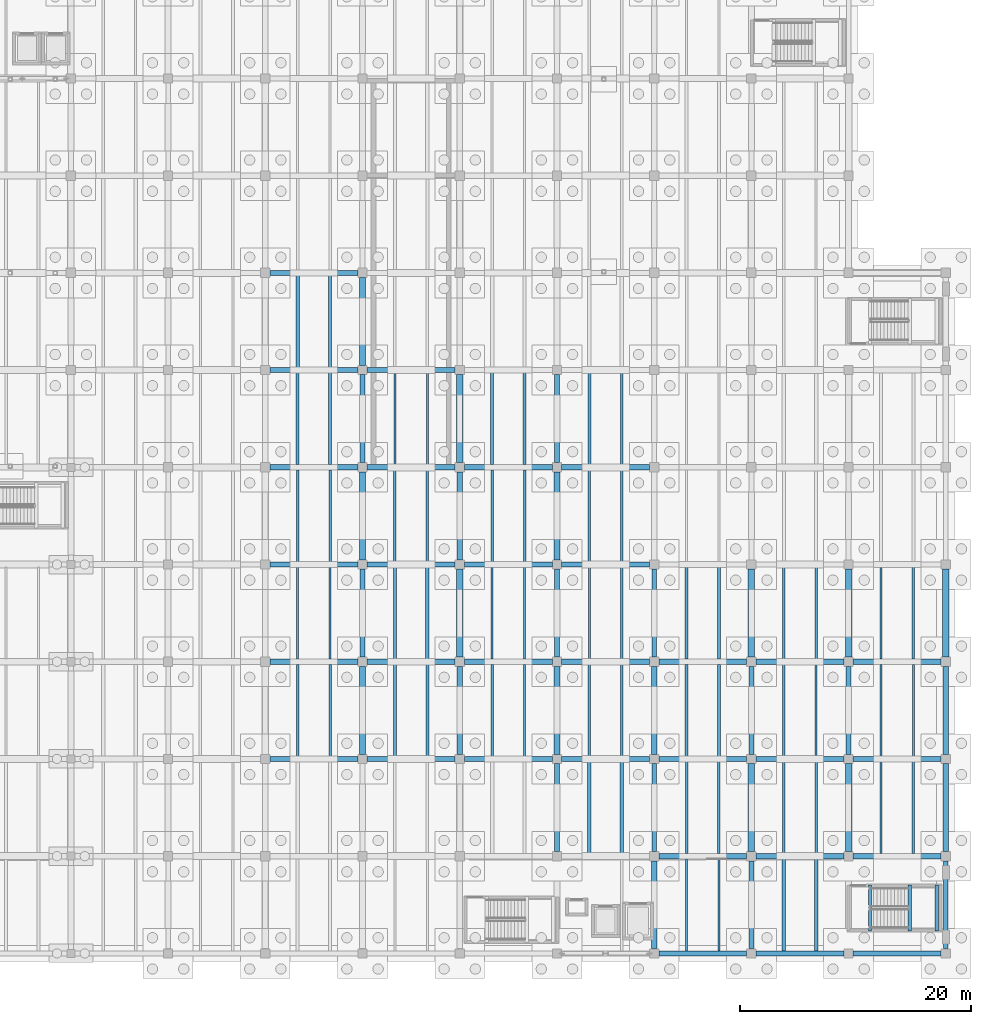
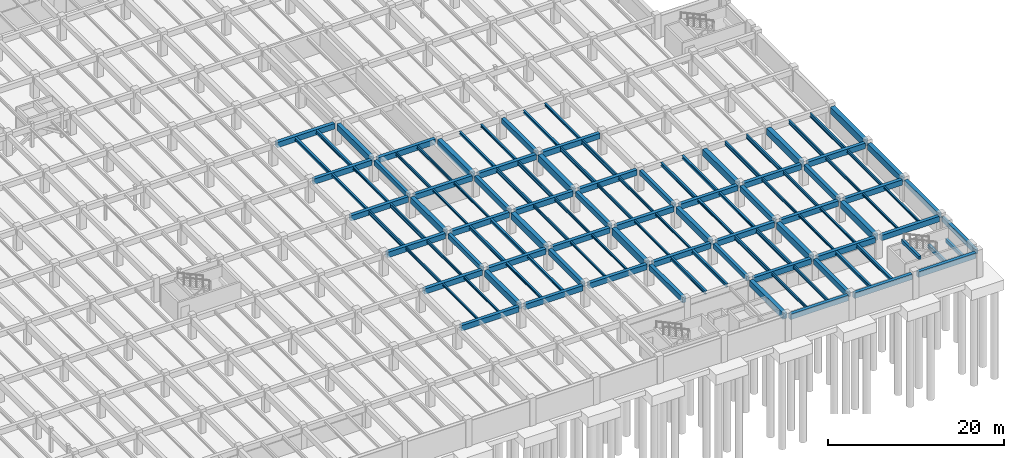
# One storey, part 31 of 70: 121 beams.
"""IFC4 building model written with IfcOpenShell, lengths in metres."""

from ifc_helpers import new_model, si_unit, direction, frame, origin, origin_2d, place, context, subcontext, project, spatial, rectangle, i_section, extrude, material, material_profile, profile_set, type_object, element, save


model = new_model("IFC4")

# Units and contexts
model_context = context("Model", 3, precision=1e-05, world=origin(), true_north=direction((0.0, 1.0)))
body_context = subcontext(model_context, "Body", "Model", "MODEL_VIEW")
ifc_project = project(units=[si_unit("LENGTHUNIT", "METRE"), si_unit("AREAUNIT", "SQUARE_METRE"), si_unit("VOLUMEUNIT", "CUBIC_METRE"), si_unit("PLANEANGLEUNIT", "RADIAN"), si_unit("MASSUNIT", "GRAM", prefix="KILO")], contexts=[model_context])

# Site, building, storey
site_placement = place(None, origin())
site = spatial("IfcSite", under=ifc_project, at=site_placement, CompositionType="ELEMENT")
building_placement = place(site_placement, origin())
building = spatial("IfcBuilding", under=site, at=building_placement, Name="Cumbredor Promenade Congress Hotel", CompositionType="ELEMENT")
storey_placement = place(building_placement, frame((0.0, 0.0, -7.56005859375)))
storey = spatial("IfcBuildingStorey", under=building, at=storey_placement, Name="B02", CompositionType="ELEMENT", Elevation=-7.56005859375)

# Beams
ifc_material_1 = material(Name="Concrete C40/50", Category="concrete")
ifc_material_profile_1 = material_profile(ifc_material_1, rectangle(XDim=0.39990234375, YDim=0.64990234375, at=origin_2d()), Name="RC BEAM 400x650")
ifc_profile_set_1 = profile_set([ifc_material_profile_1], Name="Concrete C40/50")
beam_type_1 = type_object("IfcBeamType", Name="BM-RC-400x650", PredefinedType="BEAM", material=ifc_profile_set_1)
beam_1_placement = place(storey_placement, frame((134.39990234375, 34.0, 2.635009765625), z_axis=(0.0, 1.0, 0.0), x_axis=(-1.0, 0.0, 0.0)))
element("IfcBeam", 1, at=beam_1_placement, inside=storey, type_object=beam_type_1, Name="B01 Y-Grid Beam 396", PredefinedType="BEAM", context=body_context, shape_type="SweptSolid", body=[
    extrude(rectangle(XDim=0.39990234375, YDim=0.64990234375, at=origin_2d()), origin(), (0.0, 0.0, 1.0), 7.60009765625),
])
beam_2_placement = place(storey_placement, frame((134.39990234375, 50.800048828125, 2.635009765625), z_axis=(0.0, 1.0, 0.0), x_axis=(-1.0, 0.0, 0.0)))
element("IfcBeam", 2, at=beam_2_placement, inside=storey, type_object=beam_type_1, Name="B01 Y-Grid Beam 400", PredefinedType="BEAM", context=body_context, shape_type="SweptSolid", body=[
    extrude(rectangle(XDim=0.39990234375, YDim=0.64990234375, at=origin_2d()), origin(), (0.0, 0.0, 1.0), 7.599853515625),
])
for number, where, z_axis, x_axis, name in (
    (3, (159.60009765625, 17.199951171875, 2.635009765625), (0.0, 1.0, 0.0), (-1.0, 0.0, 0.0), "B01 Y-Grid Beam 472"),
    (4, (159.60009765625, 34.0, 2.635009765625), (0.0, 1.0, 0.0), (-1.0, 0.0, 0.0), "B01 Y-Grid Beam 476"),
):
    element("IfcBeam", number, at=place(storey_placement, frame(where, z_axis=z_axis, x_axis=x_axis)), inside=storey, type_object=beam_type_1, Name=name, PredefinedType="BEAM", context=body_context, shape_type="SweptSolid", body=[
        extrude(rectangle(XDim=0.39990234375, YDim=0.64990234375, at=origin_2d()), origin(), (0.0, 0.0, 1.0), 7.60009765625),
    ])
beam_3_placement = place(storey_placement, frame((184.800048828125, 8.800048828125, 2.635009765625), z_axis=(0.0, 1.0, 0.0), x_axis=(-1.0, 0.0, 0.0)))
element("IfcBeam", 5, at=beam_3_placement, inside=storey, type_object=beam_type_1, Name="B01 Y-Grid Beam 540", PredefinedType="BEAM", context=body_context, shape_type="SweptSolid", body=[
    extrude(rectangle(XDim=0.39990234375, YDim=0.64990234375, at=origin_2d()), origin(), (0.0, 0.0, 1.0), 7.599853515625),
])
ifc_material_profile_2 = material_profile(ifc_material_1, rectangle(XDim=0.449951171875, YDim=0.75, at=origin_2d()), Name="RC BEAM 450x750")
ifc_profile_set_2 = profile_set([ifc_material_profile_2], Name="Concrete C40/50")
beam_type_2 = type_object("IfcBeamType", Name="BM-RC-450x750", PredefinedType="BEAM", material=ifc_profile_set_2)
for number, where, z_axis, x_axis, name in (
    (6, (126.39990234375, 25.199951171875, 2.5849609375), (1.0, 0.0, 0.0), (0.0, 1.0, 0.0), "B01 X-Grid Beam 366"),
    (7, (126.39990234375, 33.60009765625, 2.5849609375), (1.0, 0.0, 0.0), (0.0, 1.0, 0.0), "B01 X-Grid Beam 368"),
    (8, (126.39990234375, 42.0, 2.5849609375), (1.0, 0.0, 0.0), (0.0, 1.0, 0.0), "B01 X-Grid Beam 370"),
    (9, (126.39990234375, 50.39990234375, 2.5849609375), (1.0, 0.0, 0.0), (0.0, 1.0, 0.0), "B01 X-Grid Beam 372"),
    (10, (126.39990234375, 58.800048828125, 2.5849609375), (1.0, 0.0, 0.0), (0.0, 1.0, 0.0), "B01 X-Grid Beam 374"),
    (11, (126.39990234375, 67.199951171875, 2.5849609375), (1.0, 0.0, 0.0), (0.0, 1.0, 0.0), "B01 X-Grid Beam 376"),
):
    element("IfcBeam", number, at=place(storey_placement, frame(where, z_axis=z_axis, x_axis=x_axis)), inside=storey, type_object=beam_type_2, Name=name, PredefinedType="BEAM", context=body_context, shape_type="SweptSolid", body=[
        extrude(rectangle(XDim=0.449951171875, YDim=0.75, at=origin_2d()), origin(), (0.0, 0.0, 1.0), 7.60009765625),
    ])
for number, where, z_axis, x_axis, name in (
    (12, (134.800048828125, 25.199951171875, 2.5849609375), (1.0, 0.0, 0.0), (0.0, 1.0, 0.0), "B01 X-Grid Beam 393"),
    (13, (134.800048828125, 33.60009765625, 2.5849609375), (1.0, 0.0, 0.0), (0.0, 1.0, 0.0), "B01 X-Grid Beam 395"),
    (14, (134.800048828125, 42.0, 2.5849609375), (1.0, 0.0, 0.0), (0.0, 1.0, 0.0), "B01 X-Grid Beam 397"),
    (15, (134.800048828125, 50.39990234375, 2.5849609375), (1.0, 0.0, 0.0), (0.0, 1.0, 0.0), "B01 X-Grid Beam 399"),
    (16, (134.800048828125, 58.800048828125, 2.5849609375), (1.0, 0.0, 0.0), (0.0, 1.0, 0.0), "B01 X-Grid Beam 401"),
):
    element("IfcBeam", number, at=place(storey_placement, frame(where, z_axis=z_axis, x_axis=x_axis)), inside=storey, type_object=beam_type_2, Name=name, PredefinedType="BEAM", context=body_context, shape_type="SweptSolid", body=[
        extrude(rectangle(XDim=0.449951171875, YDim=0.75, at=origin_2d()), origin(), (0.0, 0.0, 1.0), 7.599853515625),
    ])
beam_4_placement = place(storey_placement, frame((143.199951171875, 25.199951171875, 2.5849609375), z_axis=(1.0, 0.0, 0.0), x_axis=(0.0, 1.0, 0.0)))
element("IfcBeam", 17, at=beam_4_placement, inside=storey, type_object=beam_type_2, Name="B01 X-Grid Beam 420", PredefinedType="BEAM", context=body_context, shape_type="SweptSolid", body=[
    extrude(rectangle(XDim=0.449951171875, YDim=0.75, at=origin_2d()), origin(), (0.0, 0.0, 1.0), 7.60009765625),
])
beam_5_placement = place(storey_placement, frame((142.800048828125, 25.60009765625, 2.5849609375), z_axis=(0.0, 1.0, 0.0), x_axis=(-1.0, 0.0, 0.0)))
element("IfcBeam", 18, at=beam_5_placement, inside=storey, type_object=beam_type_2, Name="B01 Y-Grid Beam 421", PredefinedType="BEAM", context=body_context, shape_type="SweptSolid", body=[
    extrude(rectangle(XDim=0.449951171875, YDim=0.75, at=origin_2d()), origin(), (0.0, 0.0, 1.0), 7.599853515625),
])
for number, where, z_axis, x_axis, name in (
    (19, (143.199951171875, 33.60009765625, 2.5849609375), (1.0, 0.0, 0.0), (0.0, 1.0, 0.0), "B01 X-Grid Beam 422"),
    (20, (143.199951171875, 42.0, 2.5849609375), (1.0, 0.0, 0.0), (0.0, 1.0, 0.0), "B01 X-Grid Beam 424"),
    (21, (142.800048828125, 42.39990234375, 2.5849609375), (0.0, 1.0, 0.0), (-1.0, 0.0, 0.0), "B01 Y-Grid Beam 425"),
    (22, (143.199951171875, 50.39990234375, 2.5849609375), (1.0, 0.0, 0.0), (0.0, 1.0, 0.0), "B01 X-Grid Beam 426"),
    (23, (151.199951171875, 17.199951171875, 2.5849609375), (0.0, 1.0, 0.0), (-1.0, 0.0, 0.0), "B01 Y-Grid Beam 445"),
):
    element("IfcBeam", number, at=place(storey_placement, frame(where, z_axis=z_axis, x_axis=x_axis)), inside=storey, type_object=beam_type_2, Name=name, PredefinedType="BEAM", context=body_context, shape_type="SweptSolid", body=[
        extrude(rectangle(XDim=0.449951171875, YDim=0.75, at=origin_2d()), origin(), (0.0, 0.0, 1.0), 7.60009765625),
    ])
for number, where, z_axis, x_axis, name in (
    (24, (151.60009765625, 25.199951171875, 2.5849609375), (1.0, 0.0, 0.0), (0.0, 1.0, 0.0), "B01 X-Grid Beam 446"),
    (25, (151.60009765625, 33.60009765625, 2.5849609375), (1.0, 0.0, 0.0), (0.0, 1.0, 0.0), "B01 X-Grid Beam 448"),
):
    element("IfcBeam", number, at=place(storey_placement, frame(where, z_axis=z_axis, x_axis=x_axis)), inside=storey, type_object=beam_type_2, Name=name, PredefinedType="BEAM", context=body_context, shape_type="SweptSolid", body=[
        extrude(rectangle(XDim=0.449951171875, YDim=0.75, at=origin_2d()), origin(), (0.0, 0.0, 1.0), 7.599853515625),
    ])
beam_6_placement = place(storey_placement, frame((151.199951171875, 34.0, 2.5849609375), z_axis=(0.0, 1.0, 0.0), x_axis=(-1.0, 0.0, 0.0)))
element("IfcBeam", 26, at=beam_6_placement, inside=storey, type_object=beam_type_2, Name="B01 Y-Grid Beam 449", PredefinedType="BEAM", context=body_context, shape_type="SweptSolid", body=[
    extrude(rectangle(XDim=0.449951171875, YDim=0.75, at=origin_2d()), origin(), (0.0, 0.0, 1.0), 7.60009765625),
])
for number, where, z_axis, x_axis, name in (
    (27, (151.60009765625, 42.0, 2.5849609375), (1.0, 0.0, 0.0), (0.0, 1.0, 0.0), "B01 X-Grid Beam 450"),
    (28, (151.60009765625, 50.39990234375, 2.5849609375), (1.0, 0.0, 0.0), (0.0, 1.0, 0.0), "B01 X-Grid Beam 452"),
    (29, (151.199951171875, 50.800048828125, 2.5849609375), (0.0, 1.0, 0.0), (-1.0, 0.0, 0.0), "B01 Y-Grid Beam 453"),
):
    element("IfcBeam", number, at=place(storey_placement, frame(where, z_axis=z_axis, x_axis=x_axis)), inside=storey, type_object=beam_type_2, Name=name, PredefinedType="BEAM", context=body_context, shape_type="SweptSolid", body=[
        extrude(rectangle(XDim=0.449951171875, YDim=0.75, at=origin_2d()), origin(), (0.0, 0.0, 1.0), 7.599853515625),
    ])
for number, where, z_axis, x_axis, name in (
    (30, (160.0, 8.39990234375, 2.5849609375), (1.0, 0.0, 0.0), (0.0, 1.0, 0.0), "B01 X-Grid Beam 469"),
    (31, (160.0, 16.800048828125, 2.5849609375), (1.0, 0.0, 0.0), (0.0, 1.0, 0.0), "B01 X-Grid Beam 471"),
    (32, (160.0, 25.199951171875, 2.5849609375), (1.0, 0.0, 0.0), (0.0, 1.0, 0.0), "B01 X-Grid Beam 473"),
    (33, (160.0, 33.60009765625, 2.5849609375), (1.0, 0.0, 0.0), (0.0, 1.0, 0.0), "B01 X-Grid Beam 475"),
    (34, (168.39990234375, 8.39990234375, 2.5849609375), (1.0, 0.0, 0.0), (0.0, 1.0, 0.0), "B01 X-Grid Beam 496"),
):
    element("IfcBeam", number, at=place(storey_placement, frame(where, z_axis=z_axis, x_axis=x_axis)), inside=storey, type_object=beam_type_2, Name=name, PredefinedType="BEAM", context=body_context, shape_type="SweptSolid", body=[
        extrude(rectangle(XDim=0.449951171875, YDim=0.75, at=origin_2d()), origin(), (0.0, 0.0, 1.0), 7.60009765625),
    ])
beam_7_placement = place(storey_placement, frame((168.0, 8.800048828125, 2.5849609375), z_axis=(0.0, 1.0, 0.0), x_axis=(-1.0, 0.0, 0.0)))
element("IfcBeam", 35, at=beam_7_placement, inside=storey, type_object=beam_type_2, Name="B01 Y-Grid Beam 497", PredefinedType="BEAM", context=body_context, shape_type="SweptSolid", body=[
    extrude(rectangle(XDim=0.449951171875, YDim=0.75, at=origin_2d()), origin(), (0.0, 0.0, 1.0), 7.599853515625),
])
for number, where, z_axis, x_axis, name in (
    (36, (168.39990234375, 16.800048828125, 2.5849609375), (1.0, 0.0, 0.0), (0.0, 1.0, 0.0), "B01 X-Grid Beam 498"),
    (37, (168.39990234375, 25.199951171875, 2.5849609375), (1.0, 0.0, 0.0), (0.0, 1.0, 0.0), "B01 X-Grid Beam 500"),
):
    element("IfcBeam", number, at=place(storey_placement, frame(where, z_axis=z_axis, x_axis=x_axis)), inside=storey, type_object=beam_type_2, Name=name, PredefinedType="BEAM", context=body_context, shape_type="SweptSolid", body=[
        extrude(rectangle(XDim=0.449951171875, YDim=0.75, at=origin_2d()), origin(), (0.0, 0.0, 1.0), 7.60009765625),
    ])
beam_8_placement = place(storey_placement, frame((168.0, 25.60009765625, 2.5849609375), z_axis=(0.0, 1.0, 0.0), x_axis=(-1.0, 0.0, 0.0)))
element("IfcBeam", 38, at=beam_8_placement, inside=storey, type_object=beam_type_2, Name="B01 Y-Grid Beam 501", PredefinedType="BEAM", context=body_context, shape_type="SweptSolid", body=[
    extrude(rectangle(XDim=0.449951171875, YDim=0.75, at=origin_2d()), origin(), (0.0, 0.0, 1.0), 7.599853515625),
])
beam_9_placement = place(storey_placement, frame((168.39990234375, 33.60009765625, 2.5849609375), z_axis=(1.0, 0.0, 0.0), x_axis=(0.0, 1.0, 0.0)))
element("IfcBeam", 39, at=beam_9_placement, inside=storey, type_object=beam_type_2, Name="B01 X-Grid Beam 502", PredefinedType="BEAM", context=body_context, shape_type="SweptSolid", body=[
    extrude(rectangle(XDim=0.449951171875, YDim=0.75, at=origin_2d()), origin(), (0.0, 0.0, 1.0), 7.60009765625),
])
for number, where, z_axis, x_axis, name in (
    (40, (176.800048828125, 8.39990234375, 2.5849609375), (1.0, 0.0, 0.0), (0.0, 1.0, 0.0), "B01 X-Grid Beam 521"),
    (41, (176.800048828125, 16.800048828125, 2.5849609375), (1.0, 0.0, 0.0), (0.0, 1.0, 0.0), "B01 X-Grid Beam 522"),
    (42, (176.800048828125, 25.199951171875, 2.5849609375), (1.0, 0.0, 0.0), (0.0, 1.0, 0.0), "B01 X-Grid Beam 524"),
    (43, (176.39990234375, 25.60009765625, 2.5849609375), (0.0, 1.0, 0.0), (-1.0, 0.0, 0.0), "B01 Y-Grid Beam 525"),
    (44, (176.800048828125, 33.60009765625, 2.5849609375), (1.0, 0.0, 0.0), (0.0, 1.0, 0.0), "B01 X-Grid Beam 526"),
):
    element("IfcBeam", number, at=place(storey_placement, frame(where, z_axis=z_axis, x_axis=x_axis)), inside=storey, type_object=beam_type_2, Name=name, PredefinedType="BEAM", context=body_context, shape_type="SweptSolid", body=[
        extrude(rectangle(XDim=0.449951171875, YDim=0.75, at=origin_2d()), origin(), (0.0, 0.0, 1.0), 7.599853515625),
    ])
beam_10_placement = place(storey_placement, frame((184.800048828125, 17.199951171875, 2.5849609375), z_axis=(0.0, 1.0, 0.0), x_axis=(-1.0, 0.0, 0.0)))
element("IfcBeam", 45, at=beam_10_placement, inside=storey, type_object=beam_type_2, Name="B01 Y-Grid Beam 541", PredefinedType="BEAM", context=body_context, shape_type="SweptSolid", body=[
    extrude(rectangle(XDim=0.449951171875, YDim=0.75, at=origin_2d()), origin(), (0.0, 0.0, 1.0), 7.60009765625),
])
ifc_material_profile_3 = material_profile(ifc_material_1, rectangle(XDim=0.5, YDim=0.85009765625, at=origin_2d()), Name="RC BEAM 500x850")
ifc_profile_set_3 = profile_set([ifc_material_profile_3], Name="Concrete C40/50")
beam_type_3 = type_object("IfcBeamType", Name="BM-RC-500x850", PredefinedType="BEAM", material=ifc_profile_set_3)
beam_11_placement = place(storey_placement, frame((134.39990234375, 25.60009765625, 2.53515625), z_axis=(0.0, 1.0, 0.0), x_axis=(-1.0, 0.0, 0.0)))
element("IfcBeam", 46, at=beam_11_placement, inside=storey, type_object=beam_type_3, Name="B01 Y-Grid Beam 394", PredefinedType="BEAM", context=body_context, shape_type="SweptSolid", body=[
    extrude(rectangle(XDim=0.5, YDim=0.85009765625, at=origin_2d()), origin(), (0.0, 0.0, 1.0), 7.599853515625),
])
for number, where, z_axis, x_axis, name in (
    (47, (134.39990234375, 42.39990234375, 2.53515625), (0.0, 1.0, 0.0), (-1.0, 0.0, 0.0), "B01 Y-Grid Beam 398"),
    (48, (134.39990234375, 59.199951171875, 2.53515625), (0.0, 1.0, 0.0), (-1.0, 0.0, 0.0), "B01 Y-Grid Beam 402"),
):
    element("IfcBeam", number, at=place(storey_placement, frame(where, z_axis=z_axis, x_axis=x_axis)), inside=storey, type_object=beam_type_3, Name=name, PredefinedType="BEAM", context=body_context, shape_type="SweptSolid", body=[
        extrude(rectangle(XDim=0.5, YDim=0.85009765625, at=origin_2d()), origin(), (0.0, 0.0, 1.0), 7.60009765625),
    ])
for number, where, z_axis, x_axis, name in (
    (49, (159.60009765625, 8.800048828125, 2.53515625), (0.0, 1.0, 0.0), (-1.0, 0.0, 0.0), "B01 Y-Grid Beam 470"),
    (50, (159.60009765625, 25.60009765625, 2.53515625), (0.0, 1.0, 0.0), (-1.0, 0.0, 0.0), "B01 Y-Grid Beam 474"),
    (51, (184.800048828125, 25.60009765625, 2.53515625), (0.0, 1.0, 0.0), (-1.0, 0.0, 0.0), "B01 Y-Grid Beam 542"),
):
    element("IfcBeam", number, at=place(storey_placement, frame(where, z_axis=z_axis, x_axis=x_axis)), inside=storey, type_object=beam_type_3, Name=name, PredefinedType="BEAM", context=body_context, shape_type="SweptSolid", body=[
        extrude(rectangle(XDim=0.5, YDim=0.85009765625, at=origin_2d()), origin(), (0.0, 0.0, 1.0), 7.599853515625),
    ])
ifc_material_profile_4 = material_profile(ifc_material_1, rectangle(XDim=0.550048828125, YDim=0.949951171875, at=origin_2d()), Name="RC BEAM 550x950")
ifc_profile_set_4 = profile_set([ifc_material_profile_4], Name="Concrete C40/50")
beam_type_4 = type_object("IfcBeamType", Name="BM-RC-550x950", PredefinedType="BEAM", material=ifc_profile_set_4)
beam_12_placement = place(storey_placement, frame((142.800048828125, 34.0, 2.485107421875), z_axis=(0.0, 1.0, 0.0), x_axis=(-1.0, 0.0, 0.0)))
element("IfcBeam", 52, at=beam_12_placement, inside=storey, type_object=beam_type_4, Name="B01 Y-Grid Beam 423", PredefinedType="BEAM", context=body_context, shape_type="SweptSolid", body=[
    extrude(rectangle(XDim=0.550048828125, YDim=0.949951171875, at=origin_2d()), origin(), (0.0, 0.0, 1.0), 7.60009765625),
])
for number, where, z_axis, x_axis, name in (
    (53, (142.800048828125, 50.800048828125, 2.485107421875), (0.0, 1.0, 0.0), (-1.0, 0.0, 0.0), "B01 Y-Grid Beam 427"),
    (54, (151.199951171875, 25.60009765625, 2.485107421875), (0.0, 1.0, 0.0), (-1.0, 0.0, 0.0), "B01 Y-Grid Beam 447"),
):
    element("IfcBeam", number, at=place(storey_placement, frame(where, z_axis=z_axis, x_axis=x_axis)), inside=storey, type_object=beam_type_4, Name=name, PredefinedType="BEAM", context=body_context, shape_type="SweptSolid", body=[
        extrude(rectangle(XDim=0.550048828125, YDim=0.949951171875, at=origin_2d()), origin(), (0.0, 0.0, 1.0), 7.599853515625),
    ])
for number, where, z_axis, x_axis, name in (
    (55, (151.199951171875, 42.39990234375, 2.485107421875), (0.0, 1.0, 0.0), (-1.0, 0.0, 0.0), "B01 Y-Grid Beam 451"),
    (56, (168.0, 17.199951171875, 2.485107421875), (0.0, 1.0, 0.0), (-1.0, 0.0, 0.0), "B01 Y-Grid Beam 499"),
    (57, (168.0, 34.0, 2.485107421875), (0.0, 1.0, 0.0), (-1.0, 0.0, 0.0), "B01 Y-Grid Beam 503"),
    (58, (176.39990234375, 17.199951171875, 2.485107421875), (0.0, 1.0, 0.0), (-1.0, 0.0, 0.0), "B01 Y-Grid Beam 523"),
    (59, (176.39990234375, 34.0, 2.485107421875), (0.0, 1.0, 0.0), (-1.0, 0.0, 0.0), "B01 Y-Grid Beam 527"),
    (60, (184.800048828125, 34.0, 2.485107421875), (0.0, 1.0, 0.0), (-1.0, 0.0, 0.0), "B01 Y-Grid Beam 543"),
):
    element("IfcBeam", number, at=place(storey_placement, frame(where, z_axis=z_axis, x_axis=x_axis)), inside=storey, type_object=beam_type_4, Name=name, PredefinedType="BEAM", context=body_context, shape_type="SweptSolid", body=[
        extrude(rectangle(XDim=0.550048828125, YDim=0.949951171875, at=origin_2d()), origin(), (0.0, 0.0, 1.0), 7.60009765625),
    ])
ifc_material_2 = material(Name="Steel ASTM A992 Grade 50", Category="steel")
ifc_material_profile_5 = material_profile(ifc_material_2, i_section(OverallWidth=0.202880859375, OverallDepth=0.302978515625, WebThickness=0.007568359375, FlangeThickness=0.01318359375, at=origin_2d()), Name="W12X40")
ifc_profile_set_5 = profile_set([ifc_material_profile_5], Name="Steel ASTM A992 Grade 50")
beam_type_5 = type_object("IfcBeamType", Name="JST-W12X40", PredefinedType="JOIST", material=ifc_profile_set_5)
for number, where, z_axis, x_axis, name in (
    (61, (128.800048828125, 25.425048828125, 2.80859375), (0.0, 1.0, 0.0), (-1.0, 0.0, 0.0), "B01 Secondary Floor Joist 0325"),
    (62, (131.60009765625, 25.425048828125, 2.80859375), (0.0, 1.0, 0.0), (-1.0, 0.0, 0.0), "B01 Secondary Floor Joist 0326"),
    (63, (137.199951171875, 42.22509765625, 2.80859375), (0.0, 1.0, 0.0), (-1.0, 0.0, 0.0), "B01 Secondary Floor Joist 0355"),
    (64, (140.0, 42.22509765625, 2.80859375), (0.0, 1.0, 0.0), (-1.0, 0.0, 0.0), "B01 Secondary Floor Joist 0356"),
    (65, (145.60009765625, 25.425048828125, 2.80859375), (0.0, 1.0, 0.0), (-1.0, 0.0, 0.0), "B01 Secondary Floor Joist 0375"),
    (66, (148.39990234375, 25.425048828125, 2.80859375), (0.0, 1.0, 0.0), (-1.0, 0.0, 0.0), "B01 Secondary Floor Joist 0376"),
    (67, (154.0, 25.425048828125, 2.80859375), (0.0, 1.0, 0.0), (-1.0, 0.0, 0.0), "B01 Secondary Floor Joist 0400"),
    (68, (156.800048828125, 25.425048828125, 2.80859375), (0.0, 1.0, 0.0), (-1.0, 0.0, 0.0), "B01 Secondary Floor Joist 0401"),
):
    element("IfcBeam", number, at=place(storey_placement, frame(where, z_axis=z_axis, x_axis=x_axis)), inside=storey, type_object=beam_type_5, Name=name, PredefinedType="JOIST", context=body_context, shape_type="SweptSolid", body=[
        extrude(i_section(OverallWidth=0.202880859375, OverallDepth=0.302978515625, WebThickness=0.007568359375, FlangeThickness=0.01318359375, at=origin_2d()), origin(), (0.0, 0.0, 1.0), 7.949951171875),
    ])
for number, where, z_axis, x_axis, name in (
    (69, (170.800048828125, 17.02490234375, 2.80859375), (0.0, 1.0, 0.0), (-1.0, 0.0, 0.0), "B01 Secondary Floor Joist 0450"),
    (70, (173.60009765625, 17.02490234375, 2.80859375), (0.0, 1.0, 0.0), (-1.0, 0.0, 0.0), "B01 Secondary Floor Joist 0451"),
    (71, (179.199951171875, 17.02490234375, 2.80859375), (0.0, 1.0, 0.0), (-1.0, 0.0, 0.0), "B01 Secondary Floor Joist 0470"),
    (72, (182.0, 17.02490234375, 2.80859375), (0.0, 1.0, 0.0), (-1.0, 0.0, 0.0), "B01 Secondary Floor Joist 0471"),
):
    element("IfcBeam", number, at=place(storey_placement, frame(where, z_axis=z_axis, x_axis=x_axis)), inside=storey, type_object=beam_type_5, Name=name, PredefinedType="JOIST", context=body_context, shape_type="SweptSolid", body=[
        extrude(i_section(OverallWidth=0.202880859375, OverallDepth=0.302978515625, WebThickness=0.007568359375, FlangeThickness=0.01318359375, at=origin_2d()), origin(), (0.0, 0.0, 1.0), 7.9501953125),
    ])
ifc_material_profile_6 = material_profile(ifc_material_2, i_section(OverallWidth=0.2548828125, OverallDepth=0.35693359375, WebThickness=0.010498046875, FlangeThickness=0.018310546875, at=origin_2d()), Name="W14X68")
ifc_profile_set_6 = profile_set([ifc_material_profile_6], Name="Steel ASTM A992 Grade 50")
beam_type_6 = type_object("IfcBeamType", Name="JST-W14X68", PredefinedType="JOIST", material=ifc_profile_set_6)
for number, where, z_axis, x_axis, name in (
    (73, (128.800048828125, 50.625, 2.781494140625), (0.0, 1.0, 0.0), (-1.0, 0.0, 0.0), "B01 Secondary Floor Joist 0331"),
    (74, (131.60009765625, 50.625, 2.781494140625), (0.0, 1.0, 0.0), (-1.0, 0.0, 0.0), "B01 Secondary Floor Joist 0332"),
    (75, (137.199951171875, 25.425048828125, 2.781494140625), (0.0, 1.0, 0.0), (-1.0, 0.0, 0.0), "B01 Secondary Floor Joist 0351"),
    (76, (140.0, 25.425048828125, 2.781494140625), (0.0, 1.0, 0.0), (-1.0, 0.0, 0.0), "B01 Secondary Floor Joist 0352"),
    (77, (145.60009765625, 50.625, 2.781494140625), (0.0, 1.0, 0.0), (-1.0, 0.0, 0.0), "B01 Secondary Floor Joist 0381"),
    (78, (148.39990234375, 50.625, 2.781494140625), (0.0, 1.0, 0.0), (-1.0, 0.0, 0.0), "B01 Secondary Floor Joist 0382"),
    (79, (154.0, 50.625, 2.781494140625), (0.0, 1.0, 0.0), (-1.0, 0.0, 0.0), "B01 Secondary Floor Joist 0406"),
    (80, (156.800048828125, 50.625, 2.781494140625), (0.0, 1.0, 0.0), (-1.0, 0.0, 0.0), "B01 Secondary Floor Joist 0407"),
    (81, (162.39990234375, 25.425048828125, 2.781494140625), (0.0, 1.0, 0.0), (-1.0, 0.0, 0.0), "B01 Secondary Floor Joist 0426"),
    (82, (165.199951171875, 25.425048828125, 2.781494140625), (0.0, 1.0, 0.0), (-1.0, 0.0, 0.0), "B01 Secondary Floor Joist 0427"),
):
    element("IfcBeam", number, at=place(storey_placement, frame(where, z_axis=z_axis, x_axis=x_axis)), inside=storey, type_object=beam_type_6, Name=name, PredefinedType="JOIST", context=body_context, shape_type="SweptSolid", body=[
        extrude(i_section(OverallWidth=0.2548828125, OverallDepth=0.35693359375, WebThickness=0.010498046875, FlangeThickness=0.018310546875, at=origin_2d()), origin(), (0.0, 0.0, 1.0), 7.949951171875),
    ])
ifc_material_profile_7 = material_profile(ifc_material_2, i_section(OverallWidth=0.180908203125, OverallDepth=0.4169921875, WebThickness=0.010986328125, FlangeThickness=0.018310546875, at=origin_2d()), Name="W16X57")
ifc_profile_set_7 = profile_set([ifc_material_profile_7], Name="Steel ASTM A992 Grade 50")
beam_type_7 = type_object("IfcBeamType", Name="JST-W16X57", PredefinedType="JOIST", material=ifc_profile_set_7)
for number, where, z_axis, x_axis, name in (
    (83, (128.800048828125, 33.824951171875, 2.75146484375), (0.0, 1.0, 0.0), (-1.0, 0.0, 0.0), "B01 Secondary Floor Joist 0327"),
    (84, (131.60009765625, 33.824951171875, 2.75146484375), (0.0, 1.0, 0.0), (-1.0, 0.0, 0.0), "B01 Secondary Floor Joist 0328"),
    (85, (137.199951171875, 50.625, 2.75146484375), (0.0, 1.0, 0.0), (-1.0, 0.0, 0.0), "B01 Secondary Floor Joist 0357"),
    (86, (140.0, 50.625, 2.75146484375), (0.0, 1.0, 0.0), (-1.0, 0.0, 0.0), "B01 Secondary Floor Joist 0358"),
    (87, (145.60009765625, 33.824951171875, 2.75146484375), (0.0, 1.0, 0.0), (-1.0, 0.0, 0.0), "B01 Secondary Floor Joist 0377"),
    (88, (148.39990234375, 33.824951171875, 2.75146484375), (0.0, 1.0, 0.0), (-1.0, 0.0, 0.0), "B01 Secondary Floor Joist 0378"),
    (89, (154.0, 33.824951171875, 2.75146484375), (0.0, 1.0, 0.0), (-1.0, 0.0, 0.0), "B01 Secondary Floor Joist 0402"),
    (90, (156.800048828125, 33.824951171875, 2.75146484375), (0.0, 1.0, 0.0), (-1.0, 0.0, 0.0), "B01 Secondary Floor Joist 0403"),
    (91, (162.39990234375, 8.625, 2.75146484375), (0.0, 1.0, 0.0), (-1.0, 0.0, 0.0), "B01 Secondary Floor Joist 0422"),
    (92, (165.199951171875, 8.625, 2.75146484375), (0.0, 1.0, 0.0), (-1.0, 0.0, 0.0), "B01 Secondary Floor Joist 0423"),
    (93, (170.800048828125, 25.425048828125, 2.75146484375), (0.0, 1.0, 0.0), (-1.0, 0.0, 0.0), "B01 Secondary Floor Joist 0452"),
    (94, (173.60009765625, 25.425048828125, 2.75146484375), (0.0, 1.0, 0.0), (-1.0, 0.0, 0.0), "B01 Secondary Floor Joist 0453"),
    (95, (179.199951171875, 25.425048828125, 2.75146484375), (0.0, 1.0, 0.0), (-1.0, 0.0, 0.0), "B01 Secondary Floor Joist 0472"),
    (96, (182.0, 25.425048828125, 2.75146484375), (0.0, 1.0, 0.0), (-1.0, 0.0, 0.0), "B01 Secondary Floor Joist 0473"),
):
    element("IfcBeam", number, at=place(storey_placement, frame(where, z_axis=z_axis, x_axis=x_axis)), inside=storey, type_object=beam_type_7, Name=name, PredefinedType="JOIST", context=body_context, shape_type="SweptSolid", body=[
        extrude(i_section(OverallWidth=0.180908203125, OverallDepth=0.4169921875, WebThickness=0.010986328125, FlangeThickness=0.018310546875, at=origin_2d()), origin(), (0.0, 0.0, 1.0), 7.949951171875),
    ])
ifc_material_profile_8 = material_profile(ifc_material_2, i_section(OverallWidth=0.280029296875, OverallDepth=0.462890625, WebThickness=0.0107421875, FlangeThickness=0.017333984375, at=origin_2d()), Name="W18X76")
ifc_profile_set_8 = profile_set([ifc_material_profile_8], Name="Steel ASTM A992 Grade 50")
beam_type_8 = type_object("IfcBeamType", Name="JST-W18X76", PredefinedType="JOIST", material=ifc_profile_set_8)
for number, where, z_axis, x_axis, name in (
    (97, (128.800048828125, 59.02490234375, 2.728515625), (0.0, 1.0, 0.0), (-1.0, 0.0, 0.0), "B01 Secondary Floor Joist 0333"),
    (98, (131.60009765625, 59.02490234375, 2.728515625), (0.0, 1.0, 0.0), (-1.0, 0.0, 0.0), "B01 Secondary Floor Joist 0334"),
):
    element("IfcBeam", number, at=place(storey_placement, frame(where, z_axis=z_axis, x_axis=x_axis)), inside=storey, type_object=beam_type_8, Name=name, PredefinedType="JOIST", context=body_context, shape_type="SweptSolid", body=[
        extrude(i_section(OverallWidth=0.280029296875, OverallDepth=0.462890625, WebThickness=0.0107421875, FlangeThickness=0.017333984375, at=origin_2d()), origin(), (0.0, 0.0, 1.0), 7.9501953125),
    ])
for number, where, z_axis, x_axis, name in (
    (99, (137.199951171875, 33.824951171875, 2.728515625), (0.0, 1.0, 0.0), (-1.0, 0.0, 0.0), "B01 Secondary Floor Joist 0353"),
    (100, (140.0, 33.824951171875, 2.728515625), (0.0, 1.0, 0.0), (-1.0, 0.0, 0.0), "B01 Secondary Floor Joist 0354"),
):
    element("IfcBeam", number, at=place(storey_placement, frame(where, z_axis=z_axis, x_axis=x_axis)), inside=storey, type_object=beam_type_8, Name=name, PredefinedType="JOIST", context=body_context, shape_type="SweptSolid", body=[
        extrude(i_section(OverallWidth=0.280029296875, OverallDepth=0.462890625, WebThickness=0.0107421875, FlangeThickness=0.017333984375, at=origin_2d()), origin(), (0.0, 0.0, 1.0), 7.949951171875),
    ])
for number, where, z_axis, x_axis, name in (
    (101, (154.0, 17.02490234375, 2.728515625), (0.0, 1.0, 0.0), (-1.0, 0.0, 0.0), "B01 Secondary Floor Joist 0398"),
    (102, (156.800048828125, 17.02490234375, 2.728515625), (0.0, 1.0, 0.0), (-1.0, 0.0, 0.0), "B01 Secondary Floor Joist 0399"),
):
    element("IfcBeam", number, at=place(storey_placement, frame(where, z_axis=z_axis, x_axis=x_axis)), inside=storey, type_object=beam_type_8, Name=name, PredefinedType="JOIST", context=body_context, shape_type="SweptSolid", body=[
        extrude(i_section(OverallWidth=0.280029296875, OverallDepth=0.462890625, WebThickness=0.0107421875, FlangeThickness=0.017333984375, at=origin_2d()), origin(), (0.0, 0.0, 1.0), 7.9501953125),
    ])
for number, where, z_axis, x_axis, name in (
    (103, (162.39990234375, 33.824951171875, 2.728515625), (0.0, 1.0, 0.0), (-1.0, 0.0, 0.0), "B01 Secondary Floor Joist 0428"),
    (104, (165.199951171875, 33.824951171875, 2.728515625), (0.0, 1.0, 0.0), (-1.0, 0.0, 0.0), "B01 Secondary Floor Joist 0429"),
    (105, (170.800048828125, 8.625, 2.728515625), (0.0, 1.0, 0.0), (-1.0, 0.0, 0.0), "B01 Secondary Floor Joist 0448"),
    (106, (173.60009765625, 8.625, 2.728515625), (0.0, 1.0, 0.0), (-1.0, 0.0, 0.0), "B01 Secondary Floor Joist 0449"),
):
    element("IfcBeam", number, at=place(storey_placement, frame(where, z_axis=z_axis, x_axis=x_axis)), inside=storey, type_object=beam_type_8, Name=name, PredefinedType="JOIST", context=body_context, shape_type="SweptSolid", body=[
        extrude(i_section(OverallWidth=0.280029296875, OverallDepth=0.462890625, WebThickness=0.0107421875, FlangeThickness=0.017333984375, at=origin_2d()), origin(), (0.0, 0.0, 1.0), 7.949951171875),
    ])
ifc_material_profile_9 = material_profile(ifc_material_2, i_section(OverallWidth=0.214111328125, OverallDepth=0.549072265625, WebThickness=0.0146484375, FlangeThickness=0.023681640625, at=origin_2d()), Name="W21X93")
ifc_profile_set_9 = profile_set([ifc_material_profile_9], Name="Steel ASTM A992 Grade 50")
beam_type_9 = type_object("IfcBeamType", Name="JST-W21X93", PredefinedType="JOIST", material=ifc_profile_set_9)
for number, where, z_axis, x_axis, name in (
    (107, (128.800048828125, 42.22509765625, 2.685546875), (0.0, 1.0, 0.0), (-1.0, 0.0, 0.0), "B01 Secondary Floor Joist 0329"),
    (108, (131.60009765625, 42.22509765625, 2.685546875), (0.0, 1.0, 0.0), (-1.0, 0.0, 0.0), "B01 Secondary Floor Joist 0330"),
    (109, (145.60009765625, 42.22509765625, 2.685546875), (0.0, 1.0, 0.0), (-1.0, 0.0, 0.0), "B01 Secondary Floor Joist 0379"),
    (110, (148.39990234375, 42.22509765625, 2.685546875), (0.0, 1.0, 0.0), (-1.0, 0.0, 0.0), "B01 Secondary Floor Joist 0380"),
    (111, (154.0, 42.22509765625, 2.685546875), (0.0, 1.0, 0.0), (-1.0, 0.0, 0.0), "B01 Secondary Floor Joist 0404"),
    (112, (156.800048828125, 42.22509765625, 2.685546875), (0.0, 1.0, 0.0), (-1.0, 0.0, 0.0), "B01 Secondary Floor Joist 0405"),
):
    element("IfcBeam", number, at=place(storey_placement, frame(where, z_axis=z_axis, x_axis=x_axis)), inside=storey, type_object=beam_type_9, Name=name, PredefinedType="JOIST", context=body_context, shape_type="SweptSolid", body=[
        extrude(i_section(OverallWidth=0.214111328125, OverallDepth=0.549072265625, WebThickness=0.0146484375, FlangeThickness=0.023681640625, at=origin_2d()), origin(), (0.0, 0.0, 1.0), 7.949951171875),
    ])
for number, where, z_axis, x_axis, name in (
    (113, (162.39990234375, 17.02490234375, 2.685546875), (0.0, 1.0, 0.0), (-1.0, 0.0, 0.0), "B01 Secondary Floor Joist 0424"),
    (114, (165.199951171875, 17.02490234375, 2.685546875), (0.0, 1.0, 0.0), (-1.0, 0.0, 0.0), "B01 Secondary Floor Joist 0425"),
):
    element("IfcBeam", number, at=place(storey_placement, frame(where, z_axis=z_axis, x_axis=x_axis)), inside=storey, type_object=beam_type_9, Name=name, PredefinedType="JOIST", context=body_context, shape_type="SweptSolid", body=[
        extrude(i_section(OverallWidth=0.214111328125, OverallDepth=0.549072265625, WebThickness=0.0146484375, FlangeThickness=0.023681640625, at=origin_2d()), origin(), (0.0, 0.0, 1.0), 7.9501953125),
    ])
for number, where, z_axis, x_axis, name in (
    (115, (170.800048828125, 33.824951171875, 2.685546875), (0.0, 1.0, 0.0), (-1.0, 0.0, 0.0), "B01 Secondary Floor Joist 0454"),
    (116, (173.60009765625, 33.824951171875, 2.685546875), (0.0, 1.0, 0.0), (-1.0, 0.0, 0.0), "B01 Secondary Floor Joist 0455"),
    (117, (179.199951171875, 33.824951171875, 2.685546875), (0.0, 1.0, 0.0), (-1.0, 0.0, 0.0), "B01 Secondary Floor Joist 0474"),
    (118, (182.0, 33.824951171875, 2.685546875), (0.0, 1.0, 0.0), (-1.0, 0.0, 0.0), "B01 Secondary Floor Joist 0475"),
):
    element("IfcBeam", number, at=place(storey_placement, frame(where, z_axis=z_axis, x_axis=x_axis)), inside=storey, type_object=beam_type_9, Name=name, PredefinedType="JOIST", context=body_context, shape_type="SweptSolid", body=[
        extrude(i_section(OverallWidth=0.214111328125, OverallDepth=0.549072265625, WebThickness=0.0146484375, FlangeThickness=0.023681640625, at=origin_2d()), origin(), (0.0, 0.0, 1.0), 7.949951171875),
    ])
ifc_material_profile_10 = material_profile(ifc_material_1, rectangle(XDim=0.300048828125, YDim=0.5, at=origin_2d()), Name="RC LINTEL 300x500")
ifc_profile_set_10 = profile_set([ifc_material_profile_10], Name="Concrete C40/50")
beam_type_10 = type_object("IfcBeamType", Name="LN-RC-300x500", PredefinedType="LINTEL", material=ifc_profile_set_10)
for number, where, z_axis, x_axis, name in (
    (119, (184.0, 10.330078125, 1.22998046875), (0.0, 1.0, 0.0), (-1.0, 0.0, 0.0), "B02 Stair ST-09 Landing Ledger Beam E"),
    (120, (181.699951171875, 10.330078125, 1.22998046875), (0.0, 1.0, 0.0), (-1.0, 0.0, 0.0), "B02 Stair ST-09 Landing Ledger Beam W"),
    (121, (178.25, 10.330078125, 3.110107421875), (0.0, 1.0, 0.0), (-1.0, 0.0, 0.0), "B01 Stair ST-09 Well Header Trimmer Beam"),
):
    element("IfcBeam", number, at=place(storey_placement, frame(where, z_axis=z_axis, x_axis=x_axis)), inside=storey, type_object=beam_type_10, Name=name, PredefinedType="LINTEL", context=body_context, shape_type="SweptSolid", body=[
        extrude(rectangle(XDim=0.300048828125, YDim=0.5, at=origin_2d()), origin(), (0.0, 0.0, 1.0), 3.969970703125),
    ])

save(model, "model.ifc")
